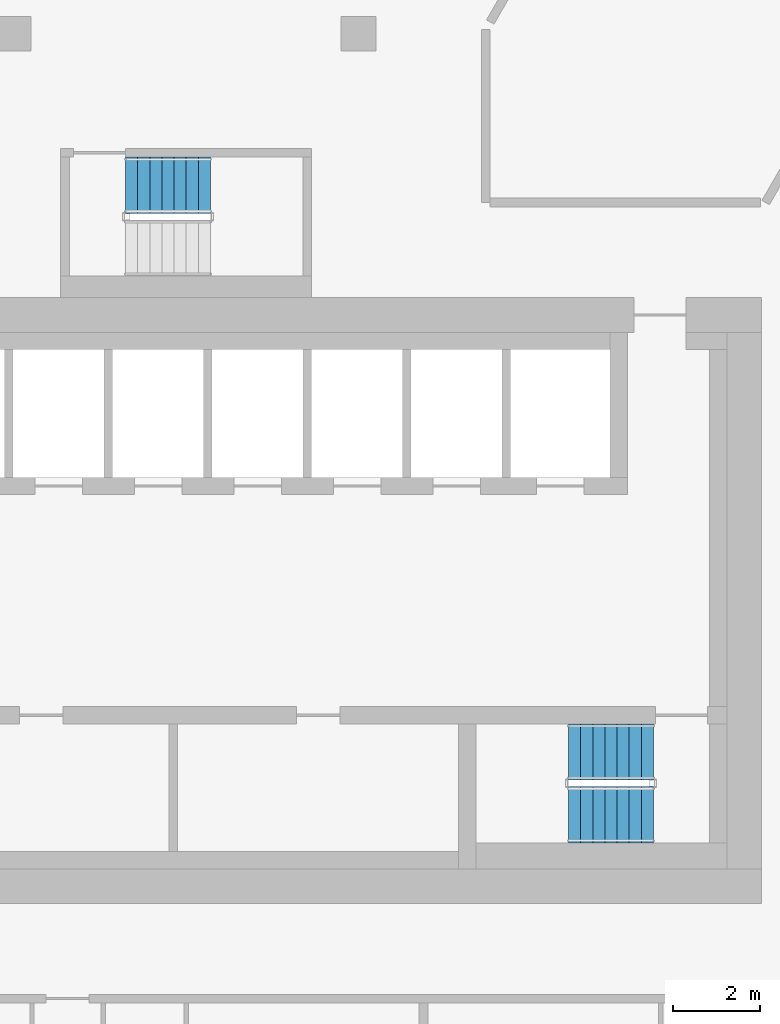
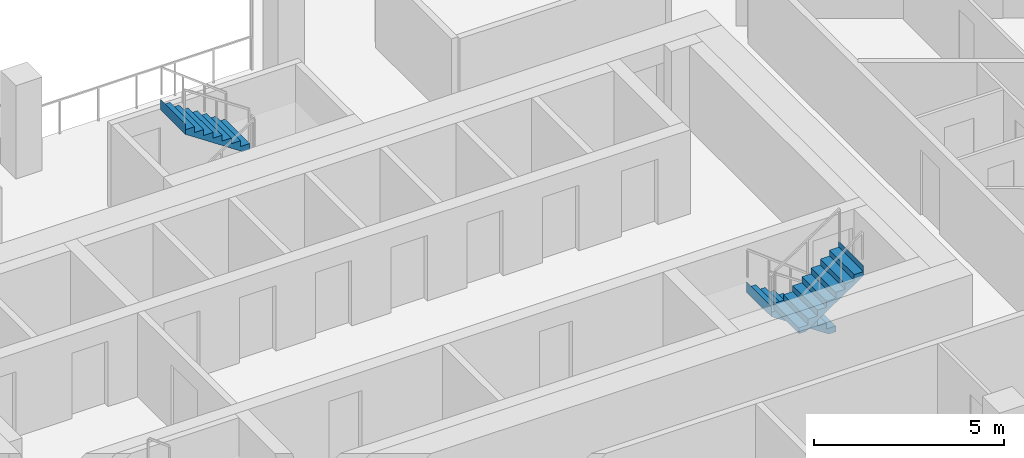
# One storey, part 13 of 17: 3 stair flights, 2 elements without a shape of their own.
"""IFC4 building model written with IfcOpenShell, lengths in metres."""

from ifc_helpers import new_model, si_unit, direction, frame, origin, place, context, subcontext, project, spatial, triangles, material, type_object, element, aggregate, save


model = new_model("IFC4")

# Units and contexts
model_context = context("Model", 3, precision=1e-05, world=origin(), true_north=direction((0.0, 1.0)))
body_context = subcontext(model_context, "Body", "Model", "MODEL_VIEW")
ifc_project = project(units=[si_unit("LENGTHUNIT", "METRE"), si_unit("AREAUNIT", "SQUARE_METRE"), si_unit("VOLUMEUNIT", "CUBIC_METRE"), si_unit("PLANEANGLEUNIT", "RADIAN"), si_unit("MASSUNIT", "GRAM", prefix="KILO")], contexts=[model_context])

# Site, building, storey
site_placement = place(None, origin())
site = spatial("IfcSite", under=ifc_project, at=site_placement, CompositionType="ELEMENT")
building_placement = place(site_placement, origin())
building = spatial("IfcBuilding", under=site, at=building_placement, Name="Beryl Residences", CompositionType="ELEMENT")
storey_placement = place(building_placement, frame((0.0, 0.0, 120.60009765625)))
storey = spatial("IfcBuildingStorey", under=building, at=storey_placement, Name="L36", CompositionType="ELEMENT", Elevation=120.60009765625)

# Stair, stair flights
ifc_material_1 = material(Name="Concrete C40/50", Category="concrete")
stair_type = type_object("IfcStairType", Name="ST1 protected exit stair, half-turn, 1300 mm flights", PredefinedType="HALF_TURN_STAIR", material=ifc_material_1)
stair_1_placement = place(storey_placement, origin())
stair_1 = element("IfcStair", 1, at=stair_1_placement, inside=storey, type_object=stair_type, Name="L36 PROTECTED EXIT STAIR ST-3", PredefinedType="HALF_TURN_STAIR")
ifc_material_2 = material(Name="Concrete C40/50", Category="concrete")
stair_flight_type = type_object("IfcStairFlightType", Name="SF1 stair flight 1300 mm", PredefinedType="STRAIGHT", material=ifc_material_2)
stair_flight_1_placement = place(storey_placement, frame((10.800048828125, -15.5, 0.0), z_axis=(0.0, 0.0, 1.0), x_axis=(-1.0, 0.0, 0.0)))
stair_flight_1 = element("IfcStairFlight", 2, at=stair_flight_1_placement, type_object=stair_flight_type, Name="ST-3 flight 1", NumberOfRisers=8, NumberOfTreads=7, PredefinedType="STRAIGHT", RiserHeight=0.1875, TreadLength=0.28, context=body_context, shape_type="Tessellation", body=[
    triangles([(0.0, -0.64990234375, 0.0), (0.0, -0.324951171875, 0.0), (0.0, 0.0, 0.0), (0.0, 0.324951171875, 0.0), (0.0, 0.64990234375, 0.0), (0.0, -0.64990234375, 0.1875), (0.0, -0.324951171875, 0.1875), (0.0, 0.0, 0.1875), (0.0, 0.324951171875, 0.1875), (0.0, 0.64990234375, 0.1875), (0.280029296875, -0.64990234375, 0.1875), (0.280029296875, -0.324951171875, 0.1875), (0.280029296875, 0.0, 0.1875), (0.280029296875, 0.324951171875, 0.1875), (0.280029296875, 0.64990234375, 0.1875), (0.280029296875, -0.64990234375, 0.375), (0.280029296875, -0.324951171875, 0.375), (0.280029296875, 0.0, 0.375), (0.280029296875, 0.324951171875, 0.375), (0.280029296875, 0.64990234375, 0.375), (0.56005859375, -0.64990234375, 0.375), (0.56005859375, -0.324951171875, 0.375), (0.56005859375, 0.0, 0.375), (0.56005859375, 0.324951171875, 0.375), (0.56005859375, 0.64990234375, 0.375), (0.56005859375, -0.64990234375, 0.5625), (0.56005859375, -0.324951171875, 0.5625), (0.56005859375, 0.0, 0.5625), (0.56005859375, 0.324951171875, 0.5625), (0.56005859375, 0.64990234375, 0.5625), (0.840087890625, -0.64990234375, 0.5625), (0.840087890625, -0.324951171875, 0.5625), (0.840087890625, 0.0, 0.5625), (0.840087890625, 0.324951171875, 0.5625), (0.840087890625, 0.64990234375, 0.5625), (0.840087890625, -0.64990234375, 0.75), (0.840087890625, -0.324951171875, 0.75), (0.840087890625, 0.0, 0.75), (0.840087890625, 0.324951171875, 0.75), (0.840087890625, 0.64990234375, 0.75), (1.1201171875, -0.64990234375, 0.75), (1.1201171875, -0.324951171875, 0.75), (1.1201171875, 0.0, 0.75), (1.1201171875, 0.324951171875, 0.75), (1.1201171875, 0.64990234375, 0.75), (1.1201171875, -0.64990234375, 0.9375), (1.1201171875, -0.324951171875, 0.9375), (1.1201171875, 0.0, 0.9375), (1.1201171875, 0.324951171875, 0.9375), (1.1201171875, 0.64990234375, 0.9375), (1.39990234375, -0.64990234375, 0.9375), (1.39990234375, -0.324951171875, 0.9375), (1.39990234375, 0.0, 0.9375), (1.39990234375, 0.324951171875, 0.9375), (1.39990234375, 0.64990234375, 0.9375), (1.39990234375, -0.64990234375, 1.125), (1.39990234375, -0.324951171875, 1.125), (1.39990234375, 0.0, 1.125), (1.39990234375, 0.324951171875, 1.125), (1.39990234375, 0.64990234375, 1.125), (1.679931640625, -0.64990234375, 1.125), (1.679931640625, -0.324951171875, 1.125), (1.679931640625, 0.0, 1.125), (1.679931640625, 0.324951171875, 1.125), (1.679931640625, 0.64990234375, 1.125), (1.679931640625, -0.64990234375, 1.3125), (1.679931640625, -0.324951171875, 1.3125), (1.679931640625, 0.0, 1.3125), (1.679931640625, 0.324951171875, 1.3125), (1.679931640625, 0.64990234375, 1.3125), (1.9599609375, -0.64990234375, 1.3125), (1.9599609375, -0.324951171875, 1.3125), (1.9599609375, 0.0, 1.3125), (1.9599609375, 0.324951171875, 1.3125), (1.9599609375, 0.64990234375, 1.3125), (1.9599609375, -0.64990234375, 1.5), (1.9599609375, -0.324951171875, 1.5), (1.9599609375, 0.0, 1.5), (1.9599609375, 0.324951171875, 1.5), (1.9599609375, 0.64990234375, 1.5), (1.9609375, -0.64990234375, 1.5), (1.9609375, -0.324951171875, 1.5), (1.9609375, 0.0, 1.5), (1.9609375, 0.324951171875, 1.5), (1.9609375, 0.64990234375, 1.5), (1.9609375, -0.64990234375, 1.16796875), (1.9609375, -0.324951171875, 1.16796875), (1.9609375, 0.0, 1.16796875), (1.9609375, 0.324951171875, 1.16796875), (1.9609375, 0.64990234375, 1.16796875), (0.216796875, -0.64990234375, 0.0), (0.216796875, -0.324951171875, 0.0), (0.216796875, 0.0, 0.0), (0.216796875, 0.324951171875, 0.0), (0.216796875, 0.64990234375, 0.0)], [[1, 6, 7], [1, 7, 2], [2, 7, 8], [2, 8, 3], [3, 8, 9], [3, 9, 4], [4, 9, 10], [4, 10, 5], [6, 11, 12], [6, 12, 7], [7, 12, 13], [7, 13, 8], [8, 13, 14], [8, 14, 9], [9, 14, 15], [9, 15, 10], [11, 16, 17], [11, 17, 12], [12, 17, 18], [12, 18, 13], [13, 18, 19], [13, 19, 14], [14, 19, 20], [14, 20, 15], [16, 21, 22], [16, 22, 17], [17, 22, 23], [17, 23, 18], [18, 23, 24], [18, 24, 19], [19, 24, 25], [19, 25, 20], [21, 26, 27], [21, 27, 22], [22, 27, 28], [22, 28, 23], [23, 28, 29], [23, 29, 24], [24, 29, 30], [24, 30, 25], [26, 31, 32], [26, 32, 27], [27, 32, 33], [27, 33, 28], [28, 33, 34], [28, 34, 29], [29, 34, 35], [29, 35, 30], [31, 36, 37], [31, 37, 32], [32, 37, 38], [32, 38, 33], [33, 38, 39], [33, 39, 34], [34, 39, 40], [34, 40, 35], [36, 41, 42], [36, 42, 37], [37, 42, 43], [37, 43, 38], [38, 43, 44], [38, 44, 39], [39, 44, 45], [39, 45, 40], [41, 46, 47], [41, 47, 42], [42, 47, 48], [42, 48, 43], [43, 48, 49], [43, 49, 44], [44, 49, 50], [44, 50, 45], [46, 51, 52], [46, 52, 47], [47, 52, 53], [47, 53, 48], [48, 53, 54], [48, 54, 49], [49, 54, 55], [49, 55, 50], [51, 56, 57], [51, 57, 52], [52, 57, 58], [52, 58, 53], [53, 58, 59], [53, 59, 54], [54, 59, 60], [54, 60, 55], [56, 61, 62], [56, 62, 57], [57, 62, 63], [57, 63, 58], [58, 63, 64], [58, 64, 59], [59, 64, 65], [59, 65, 60], [61, 66, 67], [61, 67, 62], [62, 67, 68], [62, 68, 63], [63, 68, 69], [63, 69, 64], [64, 69, 70], [64, 70, 65], [66, 71, 72], [66, 72, 67], [67, 72, 73], [67, 73, 68], [68, 73, 74], [68, 74, 69], [69, 74, 75], [69, 75, 70], [71, 76, 77], [71, 77, 72], [72, 77, 78], [72, 78, 73], [73, 78, 79], [73, 79, 74], [74, 79, 80], [74, 80, 75], [76, 81, 82], [76, 82, 77], [77, 82, 83], [77, 83, 78], [78, 83, 84], [78, 84, 79], [79, 84, 85], [79, 85, 80], [81, 86, 87], [81, 87, 82], [82, 87, 88], [82, 88, 83], [83, 88, 89], [83, 89, 84], [84, 89, 90], [84, 90, 85], [86, 91, 92], [86, 92, 87], [87, 92, 93], [87, 93, 88], [88, 93, 94], [88, 94, 89], [89, 94, 95], [89, 95, 90], [91, 1, 2], [91, 2, 92], [92, 2, 3], [92, 3, 93], [93, 3, 4], [93, 4, 94], [94, 4, 5], [94, 5, 95], [1, 91, 86], [5, 90, 95], [86, 81, 76], [90, 80, 85], [86, 76, 71], [90, 75, 80], [86, 71, 66], [90, 70, 75], [86, 66, 61], [90, 65, 70], [61, 56, 51], [65, 55, 60], [86, 61, 51], [90, 55, 65], [51, 46, 41], [55, 45, 50], [86, 51, 41], [90, 45, 55], [41, 36, 31], [45, 35, 40], [86, 41, 31], [90, 35, 45], [31, 26, 21], [35, 25, 30], [86, 31, 21], [90, 25, 35], [21, 16, 11], [25, 15, 20], [86, 21, 11], [90, 15, 25], [1, 86, 11], [5, 15, 90], [11, 6, 1], [15, 5, 10]], closed=True),
])
stair_flight_2_placement = place(storey_placement, frame((8.840087890625, -16.949951171875, 1.5), z_axis=(0.0, 0.0, 1.0), x_axis=(1.0, 0.0, 0.0)))
stair_flight_2 = element("IfcStairFlight", 3, at=stair_flight_2_placement, type_object=stair_flight_type, Name="ST-3 flight 2", NumberOfRisers=8, NumberOfTreads=7, PredefinedType="STRAIGHT", RiserHeight=0.1875, TreadLength=0.28, context=body_context, shape_type="Tessellation", body=[
    triangles([(0.0, -0.64990234375, 0.0), (0.0, -0.324951171875, 0.0), (0.0, 0.0, 0.0), (0.0, 0.324951171875, 0.0), (0.0, 0.64990234375, 0.0), (0.0, -0.64990234375, 0.1875), (0.0, -0.324951171875, 0.1875), (0.0, 0.0, 0.1875), (0.0, 0.324951171875, 0.1875), (0.0, 0.64990234375, 0.1875), (0.280029296875, -0.64990234375, 0.1875), (0.280029296875, -0.324951171875, 0.1875), (0.280029296875, 0.0, 0.1875), (0.280029296875, 0.324951171875, 0.1875), (0.280029296875, 0.64990234375, 0.1875), (0.280029296875, -0.64990234375, 0.375), (0.280029296875, -0.324951171875, 0.375), (0.280029296875, 0.0, 0.375), (0.280029296875, 0.324951171875, 0.375), (0.280029296875, 0.64990234375, 0.375), (0.56005859375, -0.64990234375, 0.375), (0.56005859375, -0.324951171875, 0.375), (0.56005859375, 0.0, 0.375), (0.56005859375, 0.324951171875, 0.375), (0.56005859375, 0.64990234375, 0.375), (0.56005859375, -0.64990234375, 0.5625), (0.56005859375, -0.324951171875, 0.5625), (0.56005859375, 0.0, 0.5625), (0.56005859375, 0.324951171875, 0.5625), (0.56005859375, 0.64990234375, 0.5625), (0.840087890625, -0.64990234375, 0.5625), (0.840087890625, -0.324951171875, 0.5625), (0.840087890625, 0.0, 0.5625), (0.840087890625, 0.324951171875, 0.5625), (0.840087890625, 0.64990234375, 0.5625), (0.840087890625, -0.64990234375, 0.75), (0.840087890625, -0.324951171875, 0.75), (0.840087890625, 0.0, 0.75), (0.840087890625, 0.324951171875, 0.75), (0.840087890625, 0.64990234375, 0.75), (1.1201171875, -0.64990234375, 0.75), (1.1201171875, -0.324951171875, 0.75), (1.1201171875, 0.0, 0.75), (1.1201171875, 0.324951171875, 0.75), (1.1201171875, 0.64990234375, 0.75), (1.1201171875, -0.64990234375, 0.9375), (1.1201171875, -0.324951171875, 0.9375), (1.1201171875, 0.0, 0.9375), (1.1201171875, 0.324951171875, 0.9375), (1.1201171875, 0.64990234375, 0.9375), (1.39990234375, -0.64990234375, 0.9375), (1.39990234375, -0.324951171875, 0.9375), (1.39990234375, 0.0, 0.9375), (1.39990234375, 0.324951171875, 0.9375), (1.39990234375, 0.64990234375, 0.9375), (1.39990234375, -0.64990234375, 1.125), (1.39990234375, -0.324951171875, 1.125), (1.39990234375, 0.0, 1.125), (1.39990234375, 0.324951171875, 1.125), (1.39990234375, 0.64990234375, 1.125), (1.679931640625, -0.64990234375, 1.125), (1.679931640625, -0.324951171875, 1.125), (1.679931640625, 0.0, 1.125), (1.679931640625, 0.324951171875, 1.125), (1.679931640625, 0.64990234375, 1.125), (1.679931640625, -0.64990234375, 1.3125), (1.679931640625, -0.324951171875, 1.3125), (1.679931640625, 0.0, 1.3125), (1.679931640625, 0.324951171875, 1.3125), (1.679931640625, 0.64990234375, 1.3125), (1.9599609375, -0.64990234375, 1.3125), (1.9599609375, -0.324951171875, 1.3125), (1.9599609375, 0.0, 1.3125), (1.9599609375, 0.324951171875, 1.3125), (1.9599609375, 0.64990234375, 1.3125), (1.9599609375, -0.64990234375, 1.5), (1.9599609375, -0.324951171875, 1.5), (1.9599609375, 0.0, 1.5), (1.9599609375, 0.324951171875, 1.5), (1.9599609375, 0.64990234375, 1.5), (1.9609375, -0.64990234375, 1.5), (1.9609375, -0.324951171875, 1.5), (1.9609375, 0.0, 1.5), (1.9609375, 0.324951171875, 1.5), (1.9609375, 0.64990234375, 1.5), (1.9609375, -0.64990234375, 1.16796875), (1.9609375, -0.324951171875, 1.16796875), (1.9609375, 0.0, 1.16796875), (1.9609375, 0.324951171875, 1.16796875), (1.9609375, 0.64990234375, 1.16796875), (0.216796875, -0.64990234375, 0.0), (0.216796875, -0.324951171875, 0.0), (0.216796875, 0.0, 0.0), (0.216796875, 0.324951171875, 0.0), (0.216796875, 0.64990234375, 0.0)], [[1, 6, 7], [1, 7, 2], [2, 7, 8], [2, 8, 3], [3, 8, 9], [3, 9, 4], [4, 9, 10], [4, 10, 5], [6, 11, 12], [6, 12, 7], [7, 12, 13], [7, 13, 8], [8, 13, 14], [8, 14, 9], [9, 14, 15], [9, 15, 10], [11, 16, 17], [11, 17, 12], [12, 17, 18], [12, 18, 13], [13, 18, 19], [13, 19, 14], [14, 19, 20], [14, 20, 15], [16, 21, 22], [16, 22, 17], [17, 22, 23], [17, 23, 18], [18, 23, 24], [18, 24, 19], [19, 24, 25], [19, 25, 20], [21, 26, 27], [21, 27, 22], [22, 27, 28], [22, 28, 23], [23, 28, 29], [23, 29, 24], [24, 29, 30], [24, 30, 25], [26, 31, 32], [26, 32, 27], [27, 32, 33], [27, 33, 28], [28, 33, 34], [28, 34, 29], [29, 34, 35], [29, 35, 30], [31, 36, 37], [31, 37, 32], [32, 37, 38], [32, 38, 33], [33, 38, 39], [33, 39, 34], [34, 39, 40], [34, 40, 35], [36, 41, 42], [36, 42, 37], [37, 42, 43], [37, 43, 38], [38, 43, 44], [38, 44, 39], [39, 44, 45], [39, 45, 40], [41, 46, 47], [41, 47, 42], [42, 47, 48], [42, 48, 43], [43, 48, 49], [43, 49, 44], [44, 49, 50], [44, 50, 45], [46, 51, 52], [46, 52, 47], [47, 52, 53], [47, 53, 48], [48, 53, 54], [48, 54, 49], [49, 54, 55], [49, 55, 50], [51, 56, 57], [51, 57, 52], [52, 57, 58], [52, 58, 53], [53, 58, 59], [53, 59, 54], [54, 59, 60], [54, 60, 55], [56, 61, 62], [56, 62, 57], [57, 62, 63], [57, 63, 58], [58, 63, 64], [58, 64, 59], [59, 64, 65], [59, 65, 60], [61, 66, 67], [61, 67, 62], [62, 67, 68], [62, 68, 63], [63, 68, 69], [63, 69, 64], [64, 69, 70], [64, 70, 65], [66, 71, 72], [66, 72, 67], [67, 72, 73], [67, 73, 68], [68, 73, 74], [68, 74, 69], [69, 74, 75], [69, 75, 70], [71, 76, 77], [71, 77, 72], [72, 77, 78], [72, 78, 73], [73, 78, 79], [73, 79, 74], [74, 79, 80], [74, 80, 75], [76, 81, 82], [76, 82, 77], [77, 82, 83], [77, 83, 78], [78, 83, 84], [78, 84, 79], [79, 84, 85], [79, 85, 80], [81, 86, 87], [81, 87, 82], [82, 87, 88], [82, 88, 83], [83, 88, 89], [83, 89, 84], [84, 89, 90], [84, 90, 85], [86, 91, 92], [86, 92, 87], [87, 92, 93], [87, 93, 88], [88, 93, 94], [88, 94, 89], [89, 94, 95], [89, 95, 90], [91, 1, 2], [91, 2, 92], [92, 2, 3], [92, 3, 93], [93, 3, 4], [93, 4, 94], [94, 4, 5], [94, 5, 95], [1, 91, 86], [5, 90, 95], [86, 81, 76], [90, 80, 85], [86, 76, 71], [90, 75, 80], [86, 71, 66], [90, 70, 75], [86, 66, 61], [90, 65, 70], [61, 56, 51], [65, 55, 60], [86, 61, 51], [90, 55, 65], [51, 46, 41], [55, 45, 50], [86, 51, 41], [90, 45, 55], [41, 36, 31], [45, 35, 40], [86, 41, 31], [90, 35, 45], [31, 26, 21], [35, 25, 30], [86, 31, 21], [90, 25, 35], [21, 16, 11], [25, 15, 20], [86, 21, 11], [90, 15, 25], [1, 86, 11], [5, 15, 90], [11, 6, 1], [15, 5, 10]], closed=True),
])
aggregate(stair_1, [stair_flight_1, stair_flight_2])

# Stair, stair flight
stair_2_placement = place(storey_placement, origin())
stair_2 = element("IfcStair", 4, at=stair_2_placement, inside=storey, type_object=stair_type, Name="L36 PROTECTED EXIT STAIR ST-4", PredefinedType="HALF_TURN_STAIR")
stair_flight_3_placement = place(storey_placement, frame((0.56005859375, -2.39990234375, 1.5), z_axis=(0.0, 0.0, 1.0), x_axis=(-1.0, 0.0, 0.0)))
stair_flight_3 = element("IfcStairFlight", 5, at=stair_flight_3_placement, type_object=stair_flight_type, Name="ST-4 flight 2", NumberOfRisers=8, NumberOfTreads=7, PredefinedType="STRAIGHT", RiserHeight=0.1875, TreadLength=0.28, context=body_context, shape_type="Tessellation", body=[
    triangles([(0.0, -0.64990234375, 0.0), (0.0, -0.324951171875, 0.0), (0.0, 0.0, 0.0), (0.0, 0.324951171875, 0.0), (0.0, 0.64990234375, 0.0), (0.0, -0.64990234375, 0.1875), (0.0, -0.324951171875, 0.1875), (0.0, 0.0, 0.1875), (0.0, 0.324951171875, 0.1875), (0.0, 0.64990234375, 0.1875), (0.280029296875, -0.64990234375, 0.1875), (0.280029296875, -0.324951171875, 0.1875), (0.280029296875, 0.0, 0.1875), (0.280029296875, 0.324951171875, 0.1875), (0.280029296875, 0.64990234375, 0.1875), (0.280029296875, -0.64990234375, 0.375), (0.280029296875, -0.324951171875, 0.375), (0.280029296875, 0.0, 0.375), (0.280029296875, 0.324951171875, 0.375), (0.280029296875, 0.64990234375, 0.375), (0.56005859375, -0.64990234375, 0.375), (0.56005859375, -0.324951171875, 0.375), (0.56005859375, 0.0, 0.375), (0.56005859375, 0.324951171875, 0.375), (0.56005859375, 0.64990234375, 0.375), (0.56005859375, -0.64990234375, 0.5625), (0.56005859375, -0.324951171875, 0.5625), (0.56005859375, 0.0, 0.5625), (0.56005859375, 0.324951171875, 0.5625), (0.56005859375, 0.64990234375, 0.5625), (0.840087890625, -0.64990234375, 0.5625), (0.840087890625, -0.324951171875, 0.5625), (0.840087890625, 0.0, 0.5625), (0.840087890625, 0.324951171875, 0.5625), (0.840087890625, 0.64990234375, 0.5625), (0.840087890625, -0.64990234375, 0.75), (0.840087890625, -0.324951171875, 0.75), (0.840087890625, 0.0, 0.75), (0.840087890625, 0.324951171875, 0.75), (0.840087890625, 0.64990234375, 0.75), (1.1201171875, -0.64990234375, 0.75), (1.1201171875, -0.324951171875, 0.75), (1.1201171875, 0.0, 0.75), (1.1201171875, 0.324951171875, 0.75), (1.1201171875, 0.64990234375, 0.75), (1.1201171875, -0.64990234375, 0.9375), (1.1201171875, -0.324951171875, 0.9375), (1.1201171875, 0.0, 0.9375), (1.1201171875, 0.324951171875, 0.9375), (1.1201171875, 0.64990234375, 0.9375), (1.39990234375, -0.64990234375, 0.9375), (1.39990234375, -0.324951171875, 0.9375), (1.39990234375, 0.0, 0.9375), (1.39990234375, 0.324951171875, 0.9375), (1.39990234375, 0.64990234375, 0.9375), (1.39990234375, -0.64990234375, 1.125), (1.39990234375, -0.324951171875, 1.125), (1.39990234375, 0.0, 1.125), (1.39990234375, 0.324951171875, 1.125), (1.39990234375, 0.64990234375, 1.125), (1.679931640625, -0.64990234375, 1.125), (1.679931640625, -0.324951171875, 1.125), (1.679931640625, 0.0, 1.125), (1.679931640625, 0.324951171875, 1.125), (1.679931640625, 0.64990234375, 1.125), (1.679931640625, -0.64990234375, 1.3125), (1.679931640625, -0.324951171875, 1.3125), (1.679931640625, 0.0, 1.3125), (1.679931640625, 0.324951171875, 1.3125), (1.679931640625, 0.64990234375, 1.3125), (1.9599609375, -0.64990234375, 1.3125), (1.9599609375, -0.324951171875, 1.3125), (1.9599609375, 0.0, 1.3125), (1.9599609375, 0.324951171875, 1.3125), (1.9599609375, 0.64990234375, 1.3125), (1.9599609375, -0.64990234375, 1.5), (1.9599609375, -0.324951171875, 1.5), (1.9599609375, 0.0, 1.5), (1.9599609375, 0.324951171875, 1.5), (1.9599609375, 0.64990234375, 1.5), (1.9609375, -0.64990234375, 1.5), (1.9609375, -0.324951171875, 1.5), (1.9609375, 0.0, 1.5), (1.9609375, 0.324951171875, 1.5), (1.9609375, 0.64990234375, 1.5), (1.9609375, -0.64990234375, 1.16796875), (1.9609375, -0.324951171875, 1.16796875), (1.9609375, 0.0, 1.16796875), (1.9609375, 0.324951171875, 1.16796875), (1.9609375, 0.64990234375, 1.16796875), (0.216796875, -0.64990234375, 0.0), (0.216796875, -0.324951171875, 0.0), (0.216796875, 0.0, 0.0), (0.216796875, 0.324951171875, 0.0), (0.216796875, 0.64990234375, 0.0)], [[1, 6, 7], [1, 7, 2], [2, 7, 8], [2, 8, 3], [3, 8, 9], [3, 9, 4], [4, 9, 10], [4, 10, 5], [6, 11, 12], [6, 12, 7], [7, 12, 13], [7, 13, 8], [8, 13, 14], [8, 14, 9], [9, 14, 15], [9, 15, 10], [11, 16, 17], [11, 17, 12], [12, 17, 18], [12, 18, 13], [13, 18, 19], [13, 19, 14], [14, 19, 20], [14, 20, 15], [16, 21, 22], [16, 22, 17], [17, 22, 23], [17, 23, 18], [18, 23, 24], [18, 24, 19], [19, 24, 25], [19, 25, 20], [21, 26, 27], [21, 27, 22], [22, 27, 28], [22, 28, 23], [23, 28, 29], [23, 29, 24], [24, 29, 30], [24, 30, 25], [26, 31, 32], [26, 32, 27], [27, 32, 33], [27, 33, 28], [28, 33, 34], [28, 34, 29], [29, 34, 35], [29, 35, 30], [31, 36, 37], [31, 37, 32], [32, 37, 38], [32, 38, 33], [33, 38, 39], [33, 39, 34], [34, 39, 40], [34, 40, 35], [36, 41, 42], [36, 42, 37], [37, 42, 43], [37, 43, 38], [38, 43, 44], [38, 44, 39], [39, 44, 45], [39, 45, 40], [41, 46, 47], [41, 47, 42], [42, 47, 48], [42, 48, 43], [43, 48, 49], [43, 49, 44], [44, 49, 50], [44, 50, 45], [46, 51, 52], [46, 52, 47], [47, 52, 53], [47, 53, 48], [48, 53, 54], [48, 54, 49], [49, 54, 55], [49, 55, 50], [51, 56, 57], [51, 57, 52], [52, 57, 58], [52, 58, 53], [53, 58, 59], [53, 59, 54], [54, 59, 60], [54, 60, 55], [56, 61, 62], [56, 62, 57], [57, 62, 63], [57, 63, 58], [58, 63, 64], [58, 64, 59], [59, 64, 65], [59, 65, 60], [61, 66, 67], [61, 67, 62], [62, 67, 68], [62, 68, 63], [63, 68, 69], [63, 69, 64], [64, 69, 70], [64, 70, 65], [66, 71, 72], [66, 72, 67], [67, 72, 73], [67, 73, 68], [68, 73, 74], [68, 74, 69], [69, 74, 75], [69, 75, 70], [71, 76, 77], [71, 77, 72], [72, 77, 78], [72, 78, 73], [73, 78, 79], [73, 79, 74], [74, 79, 80], [74, 80, 75], [76, 81, 82], [76, 82, 77], [77, 82, 83], [77, 83, 78], [78, 83, 84], [78, 84, 79], [79, 84, 85], [79, 85, 80], [81, 86, 87], [81, 87, 82], [82, 87, 88], [82, 88, 83], [83, 88, 89], [83, 89, 84], [84, 89, 90], [84, 90, 85], [86, 91, 92], [86, 92, 87], [87, 92, 93], [87, 93, 88], [88, 93, 94], [88, 94, 89], [89, 94, 95], [89, 95, 90], [91, 1, 2], [91, 2, 92], [92, 2, 3], [92, 3, 93], [93, 3, 4], [93, 4, 94], [94, 4, 5], [94, 5, 95], [1, 91, 86], [5, 90, 95], [86, 81, 76], [90, 80, 85], [86, 76, 71], [90, 75, 80], [86, 71, 66], [90, 70, 75], [86, 66, 61], [90, 65, 70], [61, 56, 51], [65, 55, 60], [86, 61, 51], [90, 55, 65], [51, 46, 41], [55, 45, 50], [86, 51, 41], [90, 45, 55], [41, 36, 31], [45, 35, 40], [86, 41, 31], [90, 35, 45], [31, 26, 21], [35, 25, 30], [86, 31, 21], [90, 25, 35], [21, 16, 11], [25, 15, 20], [86, 21, 11], [90, 15, 25], [1, 86, 11], [5, 15, 90], [11, 6, 1], [15, 5, 10]], closed=True),
])
aggregate(stair_2, [stair_flight_3])

save(model, "model.ifc")
